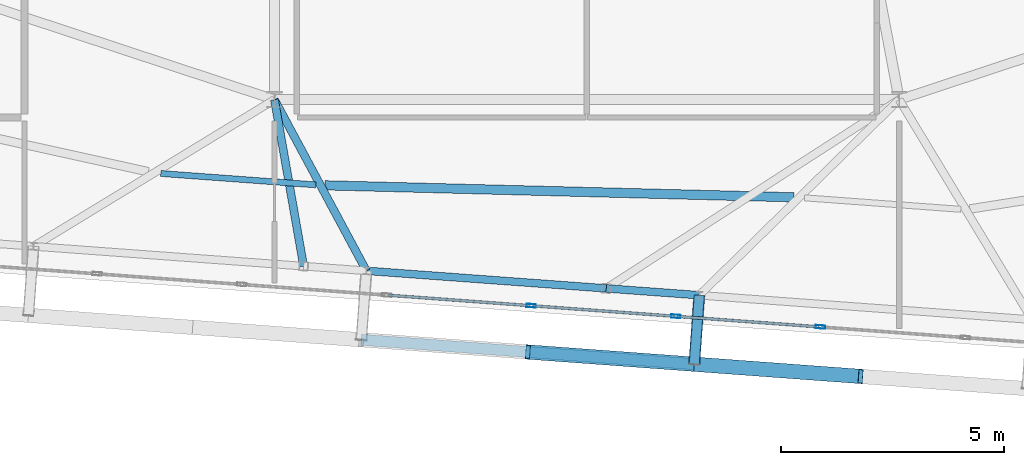
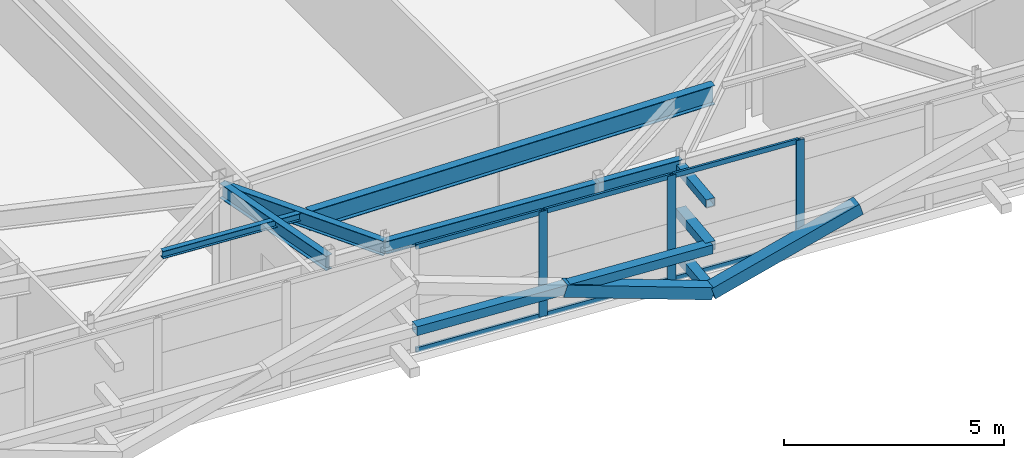
# One storey, part 13 of 42: 15 members, 6 beams, 1 element without a shape of its own.
"""IFC4 building model written with IfcOpenShell, lengths in metres."""

from ifc_helpers import new_model, si_unit, direction, frame, origin, origin_2d, place, context, subcontext, project, spatial, hollow_rectangle, i_section, extrude, source, transform, mapped, material, layer, layer_set, material_profile, profile_set, type_object, element, aggregate, save


model = new_model("IFC4")

# Units and contexts
model_context = context("Model", 3, precision=1e-05, world=origin(), true_north=direction((0.0, 1.0)))
body_context = subcontext(model_context, "Body", "Model", "MODEL_VIEW")
ifc_project = project(units=[si_unit("LENGTHUNIT", "METRE"), si_unit("AREAUNIT", "SQUARE_METRE"), si_unit("VOLUMEUNIT", "CUBIC_METRE"), si_unit("PLANEANGLEUNIT", "RADIAN"), si_unit("MASSUNIT", "GRAM", prefix="KILO")], contexts=[model_context])

# Site, building, storey
site_placement = place(None, origin())
site = spatial("IfcSite", under=ifc_project, at=site_placement, CompositionType="ELEMENT")
building_placement = place(site_placement, origin())
building = spatial("IfcBuilding", under=site, at=building_placement, Name="Taldren Reach Tower", CompositionType="ELEMENT")
storey_placement = place(building_placement, frame((0.0, 0.0, 214.550048828125)))
storey = spatial("IfcBuildingStorey", under=building, at=storey_placement, Name="L65", CompositionType="ELEMENT", Elevation=214.550048828125)

# Members
ifc_material_1 = material(Name="Steel Gr 350 (C350L0)", Category="steel")
ifc_material_profile_1 = material_profile(ifc_material_1, hollow_rectangle(XDim=0.25, YDim=0.25, WallThickness=0.010009765625, at=origin_2d()), Name="250x250x10.0SHS")
ifc_profile_set_1 = profile_set([ifc_material_profile_1], Name="Steel Gr 350 (C350L0)")
member_type_1 = type_object("IfcMemberType", Name="MB-POST250", PredefinedType="POST", material=ifc_profile_set_1)
shared_shape_1 = source(origin(), body_context, "Body", "SweptSolid", [
    extrude(hollow_rectangle(XDim=0.25, YDim=0.25, WallThickness=0.010009765625, at=origin_2d()), origin(), (0.0, 0.0, 1.0), 1.550048828125),
])
for number, where, z_axis, x_axis, name in (
    (1, (37.5205078125, 4.81689453125, 0.219970703125), (-0.07323929162, -0.997314396849, 0.0), (0.997314396849, -0.07323929162, 0.0), "Exoskeleton base diaphragm tie strut B5-S4 L65"),
    (2, (37.5205078125, 4.81689453125, 1.43505859375), (-0.07323929162, -0.997314396849, 0.0), (0.997314396849, -0.07323929162, 0.0), "Exoskeleton mid-tier diaphragm tie B5-S4 L65"),
):
    element("IfcMember", number, at=place(storey_placement, frame(where, z_axis=z_axis, x_axis=x_axis)), inside=storey, type_object=member_type_1, Name=name, PredefinedType="POST", context=body_context, shape_type="MappedRepresentation", body=[
        mapped(shared_shape_1, transform((0.0, 0.0, 0.0), scale=1.0)),
    ])
ifc_material_2 = material(Name="Steel Gr 450 (C450L0)", Category="steel")
ifc_material_profile_2 = material_profile(ifc_material_2, hollow_rectangle(XDim=0.219970703125, YDim=0.219970703125, WallThickness=0.00830078125, at=origin_2d()), Name="220x220x8.2SHS")
ifc_profile_set_2 = profile_set([ifc_material_profile_2], Name="Steel Gr 450 (C450L0)")
member_type_2 = type_object("IfcMemberType", Name="MB-TIE219", PredefinedType="STRUT", material=ifc_profile_set_2)
shared_shape_2 = source(origin(), body_context, "Body", "SweptSolid", [
    extrude(hollow_rectangle(XDim=0.219970703125, YDim=0.219970703125, WallThickness=0.00830078125, at=origin_2d()), origin(), (0.0, 0.0, 1.0), 1.550048828125),
])
member_1_placement = place(storey_placement, frame((37.5205078125, 4.81689453125, 2.64990234375), z_axis=(-0.07323929162, -0.997314396849, 0.0), x_axis=(0.997314396849, -0.07323929162, 0.0)))
element("IfcMember", 3, at=member_1_placement, inside=storey, type_object=member_type_2, Name="Exoskeleton diaphragm tie strut B5-S4 L65", PredefinedType="STRUT", context=body_context, shape_type="MappedRepresentation", body=[
    mapped(shared_shape_2, transform((0.0, 0.0, 0.0), scale=1.0)),
])

# Beams
ifc_material_3 = material(Name="Steel Gr 350 (350PLUS)", Category="steel")
ifc_material_profile_3 = material_profile(ifc_material_3, i_section(OverallWidth=0.172119140625, OverallDepth=0.35888671875, WebThickness=0.008056640625, FlangeThickness=0.012939453125, at=origin_2d()), Name="360UB56.7")
ifc_profile_set_3 = profile_set([ifc_material_profile_3], Name="Steel Gr 350 (350PLUS)")
beam_type_1 = type_object("IfcBeamType", Name="SP-UB360", PredefinedType="SPANDREL", material=ifc_profile_set_3)
shared_shape_3 = source(origin(), body_context, "Body", "SweptSolid", [
    extrude(i_section(OverallWidth=0.172119140625, OverallDepth=0.35888671875, WebThickness=0.008056640625, FlangeThickness=0.012939453125, at=origin_2d()), origin(), (0.0, 0.0, 1.0), 5.389892578125),
])
beam_1_placement = place(storey_placement, frame((30.060546875, 5.364501953125, 2.75048828125), z_axis=(0.997314149177, -0.073242664148, 0.0), x_axis=(0.073242664148, 0.997314149177, 0.0)))
element("IfcBeam", 4, at=beam_1_placement, inside=storey, type_object=beam_type_1, Name="Perimeter spandrel B5 S3-PJ2 L65", PredefinedType="SPANDREL", context=body_context, shape_type="MappedRepresentation", body=[
    mapped(shared_shape_3, transform((0.0, 0.0, 0.0), scale=1.0)),
])
shared_shape_4 = source(origin(), body_context, "Body", "SweptSolid", [
    extrude(i_section(OverallWidth=0.172119140625, OverallDepth=0.35888671875, WebThickness=0.008056640625, FlangeThickness=0.012939453125, at=origin_2d()), origin(), (0.0, 0.0, 1.0), 2.090087890625),
])
beam_2_placement = place(storey_placement, frame((35.43603515625, 4.9697265625, 2.75048828125), z_axis=(0.997322930253, -0.073122997697, 0.0), x_axis=(0.073122997697, 0.997322930253, 0.0)))
element("IfcBeam", 5, at=beam_2_placement, inside=storey, type_object=beam_type_1, Name="Perimeter spandrel B5 PJ2-S4 L65", PredefinedType="SPANDREL", context=body_context, shape_type="MappedRepresentation", body=[
    mapped(shared_shape_4, transform((0.0, 0.0, 0.0), scale=1.0)),
])
ifc_material_profile_4 = material_profile(ifc_material_3, i_section(OverallWidth=0.177978515625, OverallDepth=0.406005859375, WebThickness=0.0078125, FlangeThickness=0.0126953125, at=origin_2d()), Name="410UB59.7")
ifc_profile_set_4 = profile_set([ifc_material_profile_4], Name="Steel Gr 350 (350PLUS)")
beam_type_2 = type_object("IfcBeamType", Name="BM-UB410", PredefinedType="BEAM", material=ifc_profile_set_4)
shared_shape_5 = source(origin(), body_context, "Body", "SweptSolid", [
    extrude(i_section(OverallWidth=0.177978515625, OverallDepth=0.406005859375, WebThickness=0.0078125, FlangeThickness=0.0126953125, at=origin_2d()), origin(), (0.0, 0.0, 1.0), 3.7890625),
])
beam_3_placement = place(storey_placement, frame((28.0, 9.199951171875, 2.72705078125), z_axis=(0.172678846321, -0.984978180486, 0.0), x_axis=(0.984978180486, 0.172678846321, 0.0)))
element("IfcBeam", 6, at=beam_3_placement, inside=storey, type_object=beam_type_2, Name="Primary floor girder B5-PJ1 L65", PredefinedType="BEAM", context=body_context, shape_type="MappedRepresentation", body=[
    mapped(shared_shape_5, transform((0.0, 0.0, 0.0), scale=1.0)),
])
shared_shape_6 = source(origin(), body_context, "Body", "SweptSolid", [
    extrude(i_section(OverallWidth=0.177978515625, OverallDepth=0.406005859375, WebThickness=0.0078125, FlangeThickness=0.0126953125, at=origin_2d()), origin(), (0.0, 0.0, 1.0), 4.35400390625),
])
beam_4_placement = place(storey_placement, frame((28.0, 9.199951171875, 2.72705078125), z_axis=(0.473263645364, -0.88092083752, 0.0), x_axis=(0.88092083752, 0.473263645364, 0.0)))
element("IfcBeam", 7, at=beam_4_placement, inside=storey, type_object=beam_type_2, Name="Primary floor girder B5-S3 L65", PredefinedType="BEAM", context=body_context, shape_type="MappedRepresentation", body=[
    mapped(shared_shape_6, transform((0.0, 0.0, 0.0), scale=1.0)),
])
ifc_material_4 = material(Name="Steel Gr 300 (300PLUS, 300 MPa)", Category="steel")
ifc_material_profile_5 = material_profile(ifc_material_4, i_section(OverallWidth=0.134033203125, OverallDepth=0.20703125, WebThickness=0.00634765625, FlangeThickness=0.009521484375, at=origin_2d()), Name="200UB29.8")
ifc_profile_set_5 = profile_set([ifc_material_profile_5], Name="Steel Gr 300 (300PLUS, 300 MPa)")
beam_type_3 = type_object("IfcBeamType", Name="JS-UB200", PredefinedType="JOIST", material=ifc_profile_set_5)
shared_shape_7 = source(origin(), body_context, "Body", "SweptSolid", [
    extrude(i_section(OverallWidth=0.134033203125, OverallDepth=0.20703125, WebThickness=0.00634765625, FlangeThickness=0.009521484375, at=origin_2d()), origin(), (0.0, 0.0, 1.0), 3.481201171875),
])
beam_5_placement = place(storey_placement, frame((25.453125, 7.544921875, 2.826416015625), z_axis=(0.997316141537, -0.073215529974, 0.0), x_axis=(0.073215529974, 0.997316141537, 0.0)))
element("IfcBeam", 8, at=beam_5_placement, inside=storey, type_object=beam_type_3, Name="Secondary floor joist B5 J2 L65", PredefinedType="JOIST", context=body_context, shape_type="MappedRepresentation", body=[
    mapped(shared_shape_7, transform((0.0, 0.0, 0.0), scale=1.0)),
])
ifc_material_profile_6 = material_profile(ifc_material_3, i_section(OverallWidth=0.208984375, OverallDepth=0.532958984375, WebThickness=0.01025390625, FlangeThickness=0.015625, at=origin_2d()), Name="530UB92.4")
ifc_profile_set_6 = profile_set([ifc_material_profile_6], Name="Steel Gr 350 (350PLUS)")
beam_type_4 = type_object("IfcBeamType", Name="BM-UB530A", PredefinedType="BEAM", material=ifc_profile_set_6)
shared_shape_8 = source(origin(), body_context, "Body", "SweptSolid", [
    extrude(i_section(OverallWidth=0.208984375, OverallDepth=0.532958984375, WebThickness=0.01025390625, FlangeThickness=0.015625, at=origin_2d()), origin(), (0.0, 0.0, 1.0), 10.507080078125),
])
beam_6_placement = place(storey_placement, frame((29.132568359375, 7.27978515625, 2.663330078125), z_axis=(0.999673899449, -0.025536146143, 0.0), x_axis=(0.025536146143, 0.999673899449, 0.0)))
element("IfcBeam", 9, at=beam_6_placement, inside=storey, type_object=beam_type_4, Name="Secondary floor beam B5 J3 L65", PredefinedType="BEAM", context=body_context, shape_type="MappedRepresentation", body=[
    mapped(shared_shape_8, transform((0.0, 0.0, 0.0), scale=1.0)),
])

# Members
ifc_material_profile_7 = material_profile(ifc_material_2, hollow_rectangle(XDim=0.324951171875, YDim=0.324951171875, WallThickness=0.0126953125, at=origin_2d()), Name="325x325x12.7SHS")
ifc_profile_set_7 = profile_set([ifc_material_profile_7], Name="Steel Gr 450 (C450L0)")
member_type_3 = type_object("IfcMemberType", Name="MB-BR324", PredefinedType="BRACE", material=ifc_profile_set_7)
shared_shape_9 = source(origin(), body_context, "Body", "SweptSolid", [
    extrude(hollow_rectangle(XDim=0.324951171875, YDim=0.324951171875, WallThickness=0.0126953125, at=origin_2d()), origin(), (0.0, 0.0, 1.0), 3.932373046875),
])
member_2_placement = place(storey_placement, frame((37.406982421875, 3.27099609375, 0.219970703125), z_axis=(-0.948511132845, 0.069657644394, 0.308989390507), x_axis=(-0.07324169103, -0.997314220642, 0.0)))
element("IfcMember", 10, at=member_2_placement, inside=storey, type_object=member_type_3, Name="Exoskeleton Diagrid Brace B5-S3 L65", PredefinedType="BRACE", context=body_context, shape_type="MappedRepresentation", body=[
    mapped(shared_shape_9, transform((0.0, 0.0, 0.0), scale=1.0)),
])
shared_shape_10 = source(origin(), body_context, "Body", "SweptSolid", [
    extrude(hollow_rectangle(XDim=0.25, YDim=0.25, WallThickness=0.010009765625, at=origin_2d()), origin(), (0.0, 0.0, 1.0), 7.47998046875),
])
member_3_placement = place(storey_placement, frame((29.947021484375, 3.81884765625, 1.43505859375), z_axis=(0.997314220642, -0.07324169103, 0.0), x_axis=(0.07324169103, 0.997314220642, 0.0)))
element("IfcMember", 11, at=member_3_placement, inside=storey, type_object=member_type_1, Name="Exoskeleton mid-height ring chord B5-S3 L65", PredefinedType="POST", context=body_context, shape_type="MappedRepresentation", body=[
    mapped(shared_shape_10, transform((0.0, 0.0, 0.0), scale=1.0)),
])
shared_shape_11 = source(origin(), body_context, "Body", "SweptSolid", [
    extrude(hollow_rectangle(XDim=0.324951171875, YDim=0.324951171875, WallThickness=0.0126953125, at=origin_2d()), origin(), (0.0, 0.0, 1.0), 3.93212890625),
])
member_4_placement = place(storey_placement, frame((37.406982421875, 3.27099609375, 0.219970703125), z_axis=(0.94850490367, -0.069661746542, 0.309007586933), x_axis=(0.073246459555, 0.997313870435, 0.0)))
element("IfcMember", 12, at=member_4_placement, inside=storey, type_object=member_type_3, Name="Exoskeleton Diagrid Brace B5-S4 L65", PredefinedType="BRACE", context=body_context, shape_type="MappedRepresentation", body=[
    mapped(shared_shape_11, transform((0.0, 0.0, 0.0), scale=1.0)),
])

# Curtain wall, members
ifc_material_5 = material(Name="Aluminium and Low-E Glass Unitised System", Category="aluminium")
ifc_layer = layer(ifc_material_5, 0.159912109375)
ifc_layer_set = layer_set([ifc_layer], Name="Aluminium and Low-E Glass Unitised System")
curtain_wall_type = type_object("IfcCurtainWallType", Name="CW-SYS-6", PredefinedType="NOTDEFINED", material=ifc_layer_set)
curtain_wall_placement = place(storey_placement, origin())
curtain_wall = element("IfcCurtainWall", 13, at=curtain_wall_placement, inside=storey, type_object=curtain_wall_type, Name="Unitised curtain wall CW-L65-S", PredefinedType="NOTDEFINED")
ifc_material_6 = material(Name="Anodised Aluminium 6063-T6", Category="aluminium")
ifc_material_profile_8 = material_profile(ifc_material_6, hollow_rectangle(XDim=0.074951171875, YDim=0.2099609375, WallThickness=0.00439453125, at=origin_2d()), Name="ALU-210x75x4.5RHS")
ifc_profile_set_8 = profile_set([ifc_material_profile_8], Name="Anodised Aluminium 6063-T6")
member_type_4 = type_object("IfcMemberType", Name="CW-MUL-200", PredefinedType="MULLION", material=ifc_profile_set_8)
shared_shape_12 = source(origin(), body_context, "Body", "SweptSolid", [
    extrude(hollow_rectangle(XDim=0.074951171875, YDim=0.2099609375, WallThickness=0.00439453125, at=origin_2d()), origin(), (0.0, 0.0, 1.0), 2.929931640625),
])
member_5_placement = place(storey_placement, frame((33.753173828125, 4.58203125, 0.0), z_axis=(0.0, 0.0, 1.0), x_axis=(0.073238213716, 0.997314476006, 0.0)))
member_5 = element("IfcMember", 14, at=member_5_placement, type_object=member_type_4, Name="CW-6 mullion 7", PredefinedType="MULLION", context=body_context, shape_type="MappedRepresentation", body=[
    mapped(shared_shape_12, transform((0.0, 0.0, 0.0), scale=1.0)),
])
member_6_placement = place(storey_placement, frame((36.994384765625, 4.343994140625, 0.0), z_axis=(0.0, 0.0, 1.0), x_axis=(0.073238213716, 0.997314476006, 0.0)))
member_6 = element("IfcMember", 15, at=member_6_placement, type_object=member_type_4, Name="CW-6 mullion 8", PredefinedType="MULLION", context=body_context, shape_type="MappedRepresentation", body=[
    mapped(shared_shape_12, transform((0.0, 0.0, 0.0), scale=1.0)),
])
member_7_placement = place(storey_placement, frame((40.235595703125, 4.10595703125, 0.0), z_axis=(0.0, 0.0, 1.0), x_axis=(0.073238213716, 0.997314476006, 0.0)))
member_7 = element("IfcMember", 16, at=member_7_placement, type_object=member_type_4, Name="CW-6 mullion 9", PredefinedType="MULLION", context=body_context, shape_type="MappedRepresentation", body=[
    mapped(shared_shape_12, transform((0.0, 0.0, 0.0), scale=1.0)),
])
ifc_material_profile_9 = material_profile(ifc_material_6, hollow_rectangle(XDim=0.06005859375, YDim=0.135009765625, WallThickness=0.00341796875, at=origin_2d()), Name="ALU-135x60x3.5RHS")
ifc_profile_set_9 = profile_set([ifc_material_profile_9], Name="Anodised Aluminium 6063-T6")
member_type_5 = type_object("IfcMemberType", Name="CW-TRN-150", PredefinedType="USERDEFINED", material=ifc_profile_set_9)
shared_shape_13 = source(origin(), body_context, "Body", "SweptSolid", [
    extrude(hollow_rectangle(XDim=0.06005859375, YDim=0.135009765625, WallThickness=0.00341796875, at=origin_2d()), origin(), (0.0, 0.0, 1.0), 3.1748046875),
])
member_8_placement = place(storey_placement, frame((30.54931640625, 4.8173828125, 0.030029296875), z_axis=(0.997311015151, -0.07328532635, 0.0), x_axis=(0.07328532635, 0.997311015151, 0.0)))
member_8 = element("IfcMember", 17, at=member_8_placement, type_object=member_type_5, Name="CW-6 transom 6.1", ObjectType="TRANSOM", PredefinedType="USERDEFINED", context=body_context, shape_type="MappedRepresentation", body=[
    mapped(shared_shape_13, transform((0.0, 0.0, 0.0), scale=1.0)),
])
member_9_placement = place(storey_placement, frame((30.54931640625, 4.8173828125, 2.89990234375), z_axis=(0.997311015151, -0.07328532635, 0.0), x_axis=(0.07328532635, 0.997311015151, 0.0)))
member_9 = element("IfcMember", 18, at=member_9_placement, type_object=member_type_5, Name="CW-6 transom 6.2", ObjectType="TRANSOM", PredefinedType="USERDEFINED", context=body_context, shape_type="MappedRepresentation", body=[
    mapped(shared_shape_13, transform((0.0, 0.0, 0.0), scale=1.0)),
])
shared_shape_14 = source(origin(), body_context, "Body", "SweptSolid", [
    extrude(hollow_rectangle(XDim=0.06005859375, YDim=0.135009765625, WallThickness=0.00341796875, at=origin_2d()), origin(), (0.0, 0.0, 1.0), 3.175048828125),
])
member_10_placement = place(storey_placement, frame((33.79052734375, 4.579345703125, 0.030029296875), z_axis=(0.997311428111, -0.073279706322, 0.0), x_axis=(0.073279706322, 0.997311428111, 0.0)))
member_10 = element("IfcMember", 19, at=member_10_placement, type_object=member_type_5, Name="CW-6 transom 7.1", ObjectType="TRANSOM", PredefinedType="USERDEFINED", context=body_context, shape_type="MappedRepresentation", body=[
    mapped(shared_shape_14, transform((0.0, 0.0, 0.0), scale=1.0)),
])
member_11_placement = place(storey_placement, frame((33.79052734375, 4.579345703125, 2.89990234375), z_axis=(0.997311428111, -0.073279706322, 0.0), x_axis=(0.073279706322, 0.997311428111, 0.0)))
member_11 = element("IfcMember", 20, at=member_11_placement, type_object=member_type_5, Name="CW-6 transom 7.2", ObjectType="TRANSOM", PredefinedType="USERDEFINED", context=body_context, shape_type="MappedRepresentation", body=[
    mapped(shared_shape_14, transform((0.0, 0.0, 0.0), scale=1.0)),
])
member_12_placement = place(storey_placement, frame((37.03173828125, 4.34130859375, 0.030029296875), z_axis=(0.997311428111, -0.073279706322, 0.0), x_axis=(0.073279706322, 0.997311428111, 0.0)))
member_12 = element("IfcMember", 21, at=member_12_placement, type_object=member_type_5, Name="CW-6 transom 8.1", ObjectType="TRANSOM", PredefinedType="USERDEFINED", context=body_context, shape_type="MappedRepresentation", body=[
    mapped(shared_shape_14, transform((0.0, 0.0, 0.0), scale=1.0)),
])
member_13_placement = place(storey_placement, frame((37.03173828125, 4.34130859375, 2.89990234375), z_axis=(0.997311428111, -0.073279706322, 0.0), x_axis=(0.073279706322, 0.997311428111, 0.0)))
member_13 = element("IfcMember", 22, at=member_13_placement, type_object=member_type_5, Name="CW-6 transom 8.2", ObjectType="TRANSOM", PredefinedType="USERDEFINED", context=body_context, shape_type="MappedRepresentation", body=[
    mapped(shared_shape_14, transform((0.0, 0.0, 0.0), scale=1.0)),
])
aggregate(curtain_wall, [member_5, member_6, member_7, member_8, member_9, member_10, member_11, member_12, member_13])

save(model, "model.ifc")
